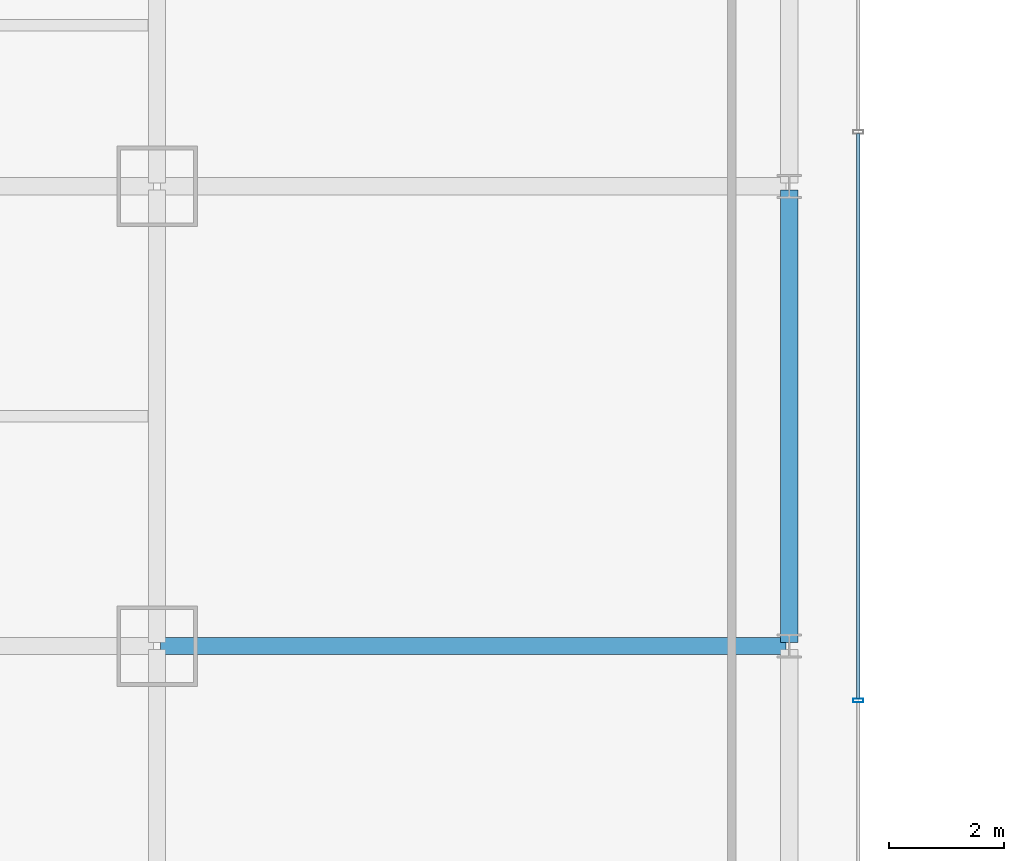
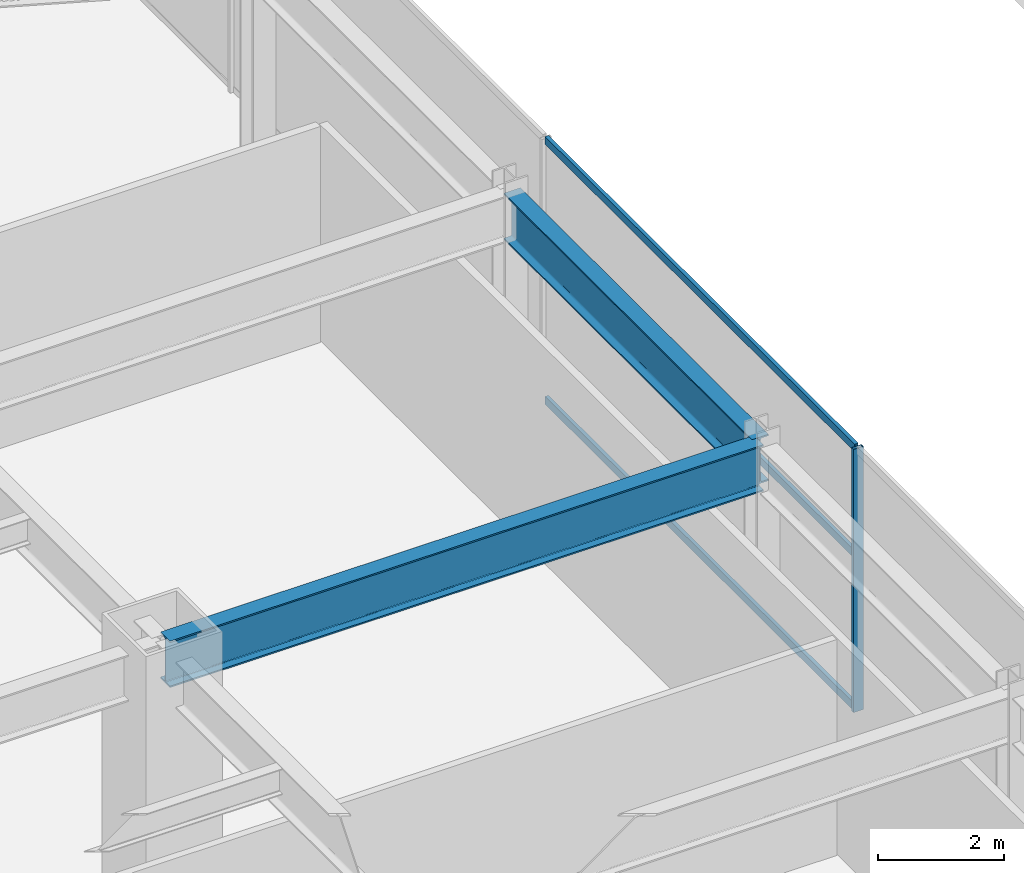
# One storey, part 22 of 51: 4 members, 2 beams, 1 element without a shape of its own.
"""IFC4 building model written with IfcOpenShell, lengths in metres."""

from ifc_helpers import new_model, si_unit, direction, frame, origin, origin_2d, place, context, subcontext, project, spatial, hollow_rectangle, i_section, extrude, material, material_profile, profile_set, type_object, element, aggregate, save


model = new_model("IFC4")

# Units and contexts
model_context = context("Model", 3, precision=1e-05, world=origin(), true_north=direction((0.0, 1.0)))
body_context = subcontext(model_context, "Body", "Model", "MODEL_VIEW")
ifc_project = project(units=[si_unit("LENGTHUNIT", "METRE"), si_unit("AREAUNIT", "SQUARE_METRE"), si_unit("VOLUMEUNIT", "CUBIC_METRE"), si_unit("PLANEANGLEUNIT", "RADIAN"), si_unit("MASSUNIT", "GRAM", prefix="KILO")], contexts=[model_context])

# Site, building, storey
site_placement = place(None, origin())
site = spatial("IfcSite", under=ifc_project, at=site_placement, CompositionType="ELEMENT")
building_placement = place(site_placement, origin())
building = spatial("IfcBuilding", under=site, at=building_placement, Name="Saevonmaru Cultural Tower", CompositionType="ELEMENT")
storey_placement = place(building_placement, frame((0.0, 0.0, 6.0)))
storey = spatial("IfcBuildingStorey", under=building, at=storey_placement, Name="L01", CompositionType="ELEMENT", Elevation=6.0)

# Beams
ifc_material_1 = material(Name="Steel SM420", Category="steel")
ifc_material_profile_1 = material_profile(ifc_material_1, i_section(OverallWidth=0.300048828125, OverallDepth=0.89990234375, WebThickness=0.01611328125, FlangeThickness=0.028076171875, FilletRadius=0.028076171875, at=origin_2d()), Name="H-900x300x16x28")
ifc_profile_set_1 = profile_set([ifc_material_profile_1], Name="Steel SM420")
beam_type = type_object("IfcBeamType", Name="BM-G-H900", PredefinedType="BEAM", material=ifc_profile_set_1)
beam_1_placement = place(storey_placement, frame((47.860107421875, 24.0, 4.64990234375), z_axis=(1.0, 0.0, 0.0), x_axis=(0.0, 1.0, 0.0)))
element("IfcBeam", 1, at=beam_1_placement, inside=storey, type_object=beam_type, Name="BM-POD-OE-3-L01", PredefinedType="BEAM", context=body_context, shape_type="SweptSolid", body=[
    extrude(i_section(OverallWidth=0.300048828125, OverallDepth=0.89990234375, WebThickness=0.01611328125, FlangeThickness=0.028076171875, FilletRadius=0.028076171875, at=origin_2d()), origin(), (0.0, 0.0, 1.0), 10.8798828125),
])
beam_2_placement = place(storey_placement, frame((58.800048828125, 24.06005859375, 4.64990234375), z_axis=(0.0, 1.0, 0.0), x_axis=(-1.0, 0.0, 0.0)))
element("IfcBeam", 2, at=beam_2_placement, inside=storey, type_object=beam_type, Name="BM-POD-PE-3-L01", PredefinedType="BEAM", context=body_context, shape_type="SweptSolid", body=[
    extrude(i_section(OverallWidth=0.300048828125, OverallDepth=0.89990234375, WebThickness=0.01611328125, FlangeThickness=0.028076171875, FilletRadius=0.028076171875, at=origin_2d()), origin(), (0.0, 0.0, 1.0), 7.8798828125),
])

# Curtain wall, members
ifc_material_2 = material(Name="Satin Bronze Anodised Aluminium", Category="aluminium")
curtain_wall_type = type_object("IfcCurtainWallType", Name="CW-POD-GLZ", PredefinedType="NOTDEFINED", material=ifc_material_2)
curtain_wall_placement = place(storey_placement, origin())
curtain_wall = element("IfcCurtainWall", 3, at=curtain_wall_placement, inside=storey, type_object=curtain_wall_type, Name="L01 Saevon Plaza Curtain Wall", PredefinedType="NOTDEFINED")
ifc_material_profile_2 = material_profile(ifc_material_2, hollow_rectangle(XDim=0.06494140625, YDim=0.179931640625, WallThickness=0.00390625, at=origin_2d()), Name="ALU-MULL-180x65x4")
ifc_profile_set_2 = profile_set([ifc_material_profile_2], Name="Satin Bronze Anodised Aluminium")
member_type_1 = type_object("IfcMemberType", Name="ML-CW-180x65", PredefinedType="MULLION", material=ifc_profile_set_2)
member_1_placement = place(storey_placement, frame((60.0, 23.052001953125, 0.0), z_axis=(0.0, 0.0, 1.0), x_axis=(0.0, 1.0, 0.0)))
member_1 = element("IfcMember", 4, at=member_1_placement, type_object=member_type_1, Name="CW-POD-E-L01 mullion 3", PredefinedType="MULLION", context=body_context, shape_type="SweptSolid", body=[
    extrude(hollow_rectangle(XDim=0.06494140625, YDim=0.179931640625, WallThickness=0.00390625, at=origin_2d()), origin(), (0.0, 0.0, 1.0), 5.10009765625),
])
ifc_material_profile_3 = material_profile(ifc_material_2, hollow_rectangle(XDim=0.06494140625, YDim=0.14990234375, WallThickness=0.00390625, at=origin_2d()), Name="ALU-TRAN-150x65x4")
ifc_profile_set_3 = profile_set([ifc_material_profile_3], Name="Satin Bronze Anodised Aluminium")
member_type_2 = type_object("IfcMemberType", Name="TR-CW-150x65", PredefinedType="USERDEFINED", material=ifc_profile_set_3)
member_2_placement = place(storey_placement, frame((60.0, 23.08447265625, 0.032470703125), z_axis=(0.0, 1.0, 0.0), x_axis=(-1.0, 0.0, 0.0)))
member_2 = element("IfcMember", 5, at=member_2_placement, type_object=member_type_2, Name="CW-POD-E-L01 transom 3.1", ObjectType="TRANSOM", PredefinedType="USERDEFINED", context=body_context, shape_type="SweptSolid", body=[
    extrude(hollow_rectangle(XDim=0.06494140625, YDim=0.14990234375, WallThickness=0.00390625, at=origin_2d()), origin(), (0.0, 0.0, 1.0), 9.8310546875),
])
member_3_placement = place(storey_placement, frame((60.0, 23.08447265625, 3.0), z_axis=(0.0, 1.0, 0.0), x_axis=(-1.0, 0.0, 0.0)))
member_3 = element("IfcMember", 6, at=member_3_placement, type_object=member_type_2, Name="CW-POD-E-L01 transom 3.2", ObjectType="TRANSOM", PredefinedType="USERDEFINED", context=body_context, shape_type="SweptSolid", body=[
    extrude(hollow_rectangle(XDim=0.06494140625, YDim=0.14990234375, WallThickness=0.00390625, at=origin_2d()), origin(), (0.0, 0.0, 1.0), 9.8310546875),
])
member_4_placement = place(storey_placement, frame((60.0, 23.08447265625, 5.0673828125), z_axis=(0.0, 1.0, 0.0), x_axis=(-1.0, 0.0, 0.0)))
member_4 = element("IfcMember", 7, at=member_4_placement, type_object=member_type_2, Name="CW-POD-E-L01 transom 3.3", ObjectType="TRANSOM", PredefinedType="USERDEFINED", context=body_context, shape_type="SweptSolid", body=[
    extrude(hollow_rectangle(XDim=0.06494140625, YDim=0.14990234375, WallThickness=0.00390625, at=origin_2d()), origin(), (0.0, 0.0, 1.0), 9.8310546875),
])
aggregate(curtain_wall, [member_1, member_2, member_3, member_4])

save(model, "model.ifc")
